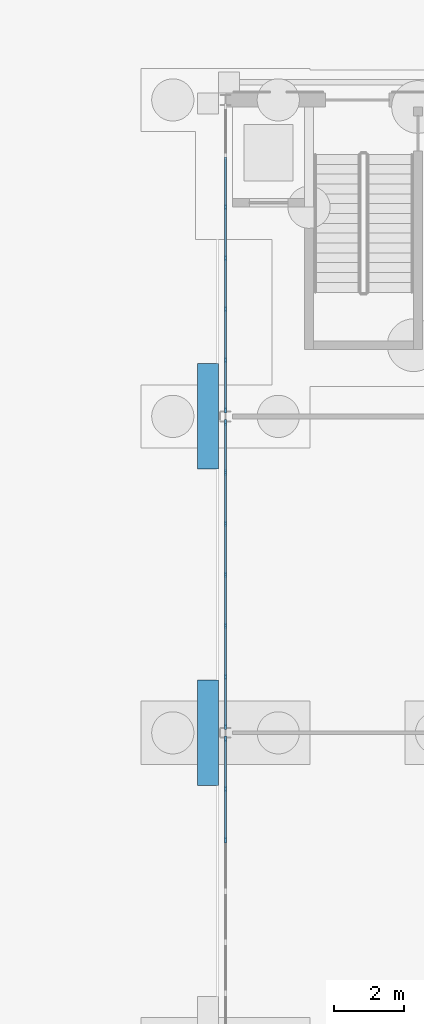
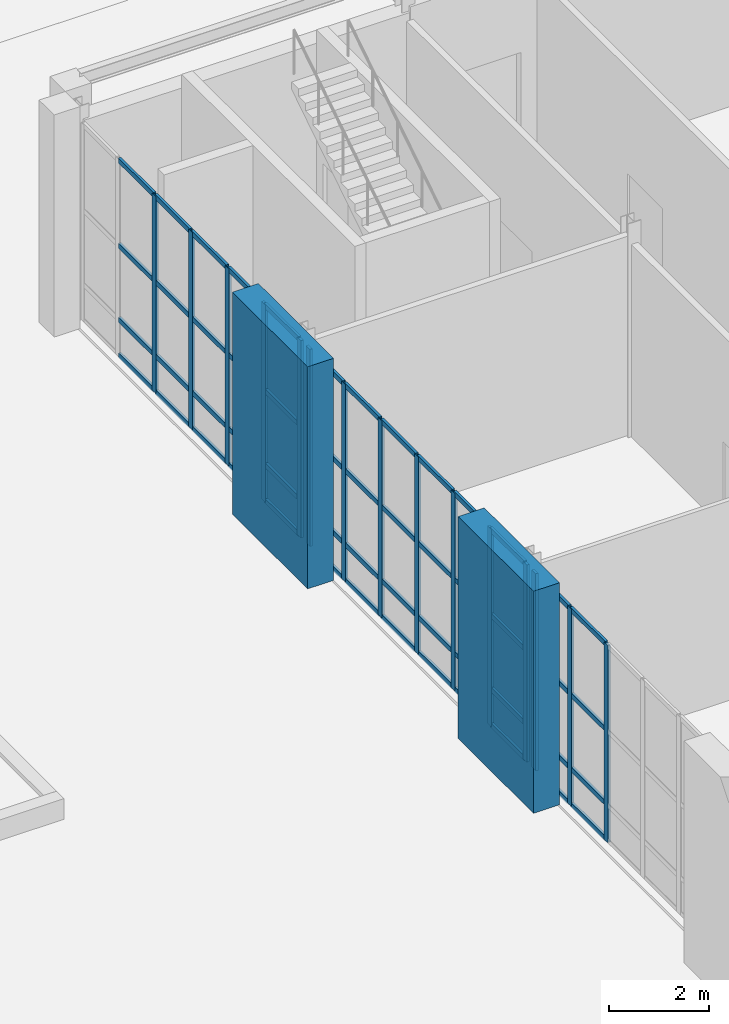
# One storey, part 52 of 168: 69 members, 3 elements without a shape of their own.
"""IFC4 building model written with IfcOpenShell, lengths in metres."""

from ifc_helpers import new_model, si_unit, direction, frame, origin, origin_2d, place, context, subcontext, project, spatial, rectangle, extrude, material, layer, layer_set, material_profile, profile_set, type_object, element, aggregate, save


model = new_model("IFC4")

# Units and contexts
model_context = context("Model", 3, precision=1e-05, world=origin(), true_north=direction((0.0, 1.0)))
body_context = subcontext(model_context, "Body", "Model", "MODEL_VIEW")
ifc_project = project(units=[si_unit("LENGTHUNIT", "METRE"), si_unit("AREAUNIT", "SQUARE_METRE"), si_unit("VOLUMEUNIT", "CUBIC_METRE"), si_unit("PLANEANGLEUNIT", "RADIAN"), si_unit("MASSUNIT", "GRAM", prefix="KILO")], contexts=[model_context])

# Site, building, storey
site_placement = place(None, origin())
site = spatial("IfcSite", under=ifc_project, at=site_placement, CompositionType="ELEMENT")
building_placement = place(site_placement, origin())
building = spatial("IfcBuilding", under=site, at=building_placement, Name="Golden Quay Civic Hall", CompositionType="ELEMENT")
storey_placement = place(building_placement, origin())
storey = spatial("IfcBuildingStorey", under=building, at=storey_placement, Name="L00", CompositionType="ELEMENT", Elevation=0.0)

# Curtain wall, members
ifc_material_1 = material(Name="Glass, laminated double glazed", Category="glass")
ifc_layer = layer(ifc_material_1, 0.199951171875)
ifc_layer_set = layer_set([ifc_layer], Name="Glazed core strip curtain wall")
curtain_wall_type = type_object("IfcCurtainWallType", Name="Glazed core strip curtain wall", PredefinedType="NOTDEFINED", material=ifc_layer_set)
curtain_wall_1_placement = place(storey_placement, origin())
curtain_wall_1 = element("IfcCurtainWall", 1, at=curtain_wall_1_placement, inside=storey, type_object=curtain_wall_type, Name="Glazed core strip curtain wall L00 5", PredefinedType="NOTDEFINED")
ifc_material_2 = material(Name="Aluminium, anodised", Category="aluminium")
ifc_material_profile_1 = material_profile(ifc_material_2, rectangle(XDim=0.06005859375, YDim=0.159912109375, at=origin_2d()), Name="Aluminium 60 x 160")
ifc_profile_set_1 = profile_set([ifc_material_profile_1], Name="Aluminium, anodised")
member_type_1 = type_object("IfcMemberType", Name="Aluminium mullion 60 x 160", PredefinedType="MULLION", material=ifc_profile_set_1)
member_1_placement = place(storey_placement, frame((54.0, 32.95166015625, 0.0), z_axis=(0.0, 0.0, 1.0), x_axis=(-1.0, 0.0, 0.0)))
member_1 = element("IfcMember", 2, at=member_1_placement, type_object=member_type_1, Name="CW2 mullion 5", PredefinedType="MULLION", context=body_context, shape_type="SweptSolid", body=[
    extrude(rectangle(XDim=0.06005859375, YDim=0.159912109375, at=origin_2d()), origin(), (0.0, 0.0, 1.0), 4.800048828125),
])
member_2_placement = place(storey_placement, frame((54.0, 34.4033203125, 0.0), z_axis=(0.0, 0.0, 1.0), x_axis=(-1.0, 0.0, 0.0)))
member_2 = element("IfcMember", 3, at=member_2_placement, type_object=member_type_1, Name="CW2 mullion 6", PredefinedType="MULLION", context=body_context, shape_type="SweptSolid", body=[
    extrude(rectangle(XDim=0.06005859375, YDim=0.159912109375, at=origin_2d()), origin(), (0.0, 0.0, 1.0), 4.800048828125),
])
member_3_placement = place(storey_placement, frame((54.0, 35.824951171875, 0.0), z_axis=(0.0, 0.0, 1.0), x_axis=(-1.0, 0.0, 0.0)))
member_3 = element("IfcMember", 4, at=member_3_placement, type_object=member_type_1, Name="CW2 mullion 7", PredefinedType="MULLION", context=body_context, shape_type="SweptSolid", body=[
    extrude(rectangle(XDim=0.06005859375, YDim=0.159912109375, at=origin_2d()), origin(), (0.0, 0.0, 1.0), 4.800048828125),
])

curtain_wall_2_placement = place(storey_placement, origin())
curtain_wall_2 = element("IfcCurtainWall", 5, at=curtain_wall_2_placement, inside=storey, type_object=curtain_wall_type, Name="Glazed core strip curtain wall L00 6", PredefinedType="NOTDEFINED")
member_4_placement = place(storey_placement, frame((54.0, 36.175048828125, 0.0), z_axis=(0.0, 0.0, 1.0), x_axis=(-1.0, 0.0, 0.0)))
member_4 = element("IfcMember", 6, at=member_4_placement, type_object=member_type_1, Name="CW2 mullion 1", PredefinedType="MULLION", context=body_context, shape_type="SweptSolid", body=[
    extrude(rectangle(XDim=0.06005859375, YDim=0.159912109375, at=origin_2d()), origin(), (0.0, 0.0, 1.0), 4.800048828125),
])
member_5_placement = place(storey_placement, frame((54.0, 37.5966796875, 0.0), z_axis=(0.0, 0.0, 1.0), x_axis=(-1.0, 0.0, 0.0)))
member_5 = element("IfcMember", 7, at=member_5_placement, type_object=member_type_1, Name="CW2 mullion 2", PredefinedType="MULLION", context=body_context, shape_type="SweptSolid", body=[
    extrude(rectangle(XDim=0.06005859375, YDim=0.159912109375, at=origin_2d()), origin(), (0.0, 0.0, 1.0), 4.800048828125),
])
member_6_placement = place(storey_placement, frame((54.0, 39.04833984375, 0.0), z_axis=(0.0, 0.0, 1.0), x_axis=(-1.0, 0.0, 0.0)))
member_6 = element("IfcMember", 8, at=member_6_placement, type_object=member_type_1, Name="CW2 mullion 3", PredefinedType="MULLION", context=body_context, shape_type="SweptSolid", body=[
    extrude(rectangle(XDim=0.06005859375, YDim=0.159912109375, at=origin_2d()), origin(), (0.0, 0.0, 1.0), 4.800048828125),
])
member_7_placement = place(storey_placement, frame((54.0, 40.5, 0.0), z_axis=(0.0, 0.0, 1.0), x_axis=(-1.0, 0.0, 0.0)))
member_7 = element("IfcMember", 9, at=member_7_placement, type_object=member_type_1, Name="CW2 mullion 4", PredefinedType="MULLION", context=body_context, shape_type="SweptSolid", body=[
    extrude(rectangle(XDim=0.06005859375, YDim=0.159912109375, at=origin_2d()), origin(), (0.0, 0.0, 1.0), 4.800048828125),
])
member_8_placement = place(storey_placement, frame((54.0, 41.95166015625, 0.0), z_axis=(0.0, 0.0, 1.0), x_axis=(-1.0, 0.0, 0.0)))
member_8 = element("IfcMember", 10, at=member_8_placement, type_object=member_type_1, Name="CW2 mullion 5", PredefinedType="MULLION", context=body_context, shape_type="SweptSolid", body=[
    extrude(rectangle(XDim=0.06005859375, YDim=0.159912109375, at=origin_2d()), origin(), (0.0, 0.0, 1.0), 4.800048828125),
])
member_9_placement = place(storey_placement, frame((54.0, 43.4033203125, 0.0), z_axis=(0.0, 0.0, 1.0), x_axis=(-1.0, 0.0, 0.0)))
member_9 = element("IfcMember", 11, at=member_9_placement, type_object=member_type_1, Name="CW2 mullion 6", PredefinedType="MULLION", context=body_context, shape_type="SweptSolid", body=[
    extrude(rectangle(XDim=0.06005859375, YDim=0.159912109375, at=origin_2d()), origin(), (0.0, 0.0, 1.0), 4.800048828125),
])
member_10_placement = place(storey_placement, frame((54.0, 44.824951171875, 0.0), z_axis=(0.0, 0.0, 1.0), x_axis=(-1.0, 0.0, 0.0)))
member_10 = element("IfcMember", 12, at=member_10_placement, type_object=member_type_1, Name="CW2 mullion 7", PredefinedType="MULLION", context=body_context, shape_type="SweptSolid", body=[
    extrude(rectangle(XDim=0.06005859375, YDim=0.159912109375, at=origin_2d()), origin(), (0.0, 0.0, 1.0), 4.800048828125),
])

curtain_wall_3_placement = place(storey_placement, origin())
curtain_wall_3 = element("IfcCurtainWall", 13, at=curtain_wall_3_placement, inside=storey, type_object=curtain_wall_type, Name="Glazed core strip curtain wall L00 7", PredefinedType="NOTDEFINED")
member_11_placement = place(storey_placement, frame((54.0, 45.175048828125, 0.0), z_axis=(0.0, 0.0, 1.0), x_axis=(-1.0, 0.0, 0.0)))
member_11 = element("IfcMember", 14, at=member_11_placement, type_object=member_type_1, Name="CW2 mullion 1", PredefinedType="MULLION", context=body_context, shape_type="SweptSolid", body=[
    extrude(rectangle(XDim=0.06005859375, YDim=0.159912109375, at=origin_2d()), origin(), (0.0, 0.0, 1.0), 4.800048828125),
])
member_12_placement = place(storey_placement, frame((54.0, 46.5966796875, 0.0), z_axis=(0.0, 0.0, 1.0), x_axis=(-1.0, 0.0, 0.0)))
member_12 = element("IfcMember", 15, at=member_12_placement, type_object=member_type_1, Name="CW2 mullion 2", PredefinedType="MULLION", context=body_context, shape_type="SweptSolid", body=[
    extrude(rectangle(XDim=0.06005859375, YDim=0.159912109375, at=origin_2d()), origin(), (0.0, 0.0, 1.0), 4.800048828125),
])
member_13_placement = place(storey_placement, frame((54.0, 48.04833984375, 0.0), z_axis=(0.0, 0.0, 1.0), x_axis=(-1.0, 0.0, 0.0)))
member_13 = element("IfcMember", 16, at=member_13_placement, type_object=member_type_1, Name="CW2 mullion 3", PredefinedType="MULLION", context=body_context, shape_type="SweptSolid", body=[
    extrude(rectangle(XDim=0.06005859375, YDim=0.159912109375, at=origin_2d()), origin(), (0.0, 0.0, 1.0), 4.800048828125),
])
member_14_placement = place(storey_placement, frame((54.0, 49.5, 0.0), z_axis=(0.0, 0.0, 1.0), x_axis=(-1.0, 0.0, 0.0)))
member_14 = element("IfcMember", 17, at=member_14_placement, type_object=member_type_1, Name="CW2 mullion 4", PredefinedType="MULLION", context=body_context, shape_type="SweptSolid", body=[
    extrude(rectangle(XDim=0.06005859375, YDim=0.159912109375, at=origin_2d()), origin(), (0.0, 0.0, 1.0), 4.800048828125),
])
member_15_placement = place(storey_placement, frame((54.0, 50.95166015625, 0.0), z_axis=(0.0, 0.0, 1.0), x_axis=(-1.0, 0.0, 0.0)))
member_15 = element("IfcMember", 18, at=member_15_placement, type_object=member_type_1, Name="CW2 mullion 5", PredefinedType="MULLION", context=body_context, shape_type="SweptSolid", body=[
    extrude(rectangle(XDim=0.06005859375, YDim=0.159912109375, at=origin_2d()), origin(), (0.0, 0.0, 1.0), 4.800048828125),
])

# Member
ifc_material_3 = material(Name="Aluminium, anodised", Category="aluminium")
ifc_material_profile_2 = material_profile(ifc_material_3, rectangle(XDim=0.06005859375, YDim=0.1201171875, at=origin_2d()), Name="Aluminium 60 x 120")
ifc_profile_set_2 = profile_set([ifc_material_profile_2], Name="Aluminium, anodised")
member_type_2 = type_object("IfcMemberType", Name="Aluminium transom 60 x 120", PredefinedType="USERDEFINED", material=ifc_profile_set_2)
member_16_placement = place(storey_placement, frame((54.0, 32.981689453125, 0.030029296875), z_axis=(0.0, 1.0, 0.0), x_axis=(-1.0, 0.0, 0.0)))
member_16 = element("IfcMember", 19, at=member_16_placement, type_object=member_type_2, Name="CW2 transom 5.1", ObjectType="TRANSOM", PredefinedType="USERDEFINED", context=body_context, shape_type="SweptSolid", body=[
    extrude(rectangle(XDim=0.06005859375, YDim=0.1201171875, at=origin_2d()), origin(), (0.0, 0.0, 1.0), 1.3916015625),
])

member_17_placement = place(storey_placement, frame((54.0, 32.981689453125, 0.89990234375), z_axis=(0.0, 1.0, 0.0), x_axis=(-1.0, 0.0, 0.0)))
member_17 = element("IfcMember", 20, at=member_17_placement, type_object=member_type_2, Name="CW2 transom 5.2", ObjectType="TRANSOM", PredefinedType="USERDEFINED", context=body_context, shape_type="SweptSolid", body=[
    extrude(rectangle(XDim=0.06005859375, YDim=0.1201171875, at=origin_2d()), origin(), (0.0, 0.0, 1.0), 1.3916015625),
])

member_18_placement = place(storey_placement, frame((54.0, 32.981689453125, 2.699951171875), z_axis=(0.0, 1.0, 0.0), x_axis=(-1.0, 0.0, 0.0)))
member_18 = element("IfcMember", 21, at=member_18_placement, type_object=member_type_2, Name="CW2 transom 5.3", ObjectType="TRANSOM", PredefinedType="USERDEFINED", context=body_context, shape_type="SweptSolid", body=[
    extrude(rectangle(XDim=0.06005859375, YDim=0.1201171875, at=origin_2d()), origin(), (0.0, 0.0, 1.0), 1.3916015625),
])

member_19_placement = place(storey_placement, frame((54.0, 32.981689453125, 4.77001953125), z_axis=(0.0, 1.0, 0.0), x_axis=(-1.0, 0.0, 0.0)))
member_19 = element("IfcMember", 22, at=member_19_placement, type_object=member_type_2, Name="CW2 transom 5.4", ObjectType="TRANSOM", PredefinedType="USERDEFINED", context=body_context, shape_type="SweptSolid", body=[
    extrude(rectangle(XDim=0.06005859375, YDim=0.1201171875, at=origin_2d()), origin(), (0.0, 0.0, 1.0), 1.3916015625),
])

member_20_placement = place(storey_placement, frame((54.0, 34.433349609375, 0.030029296875), z_axis=(0.0, 1.0, 0.0), x_axis=(-1.0, 0.0, 0.0)))
member_20 = element("IfcMember", 23, at=member_20_placement, type_object=member_type_2, Name="CW2 transom 6.1", ObjectType="TRANSOM", PredefinedType="USERDEFINED", context=body_context, shape_type="SweptSolid", body=[
    extrude(rectangle(XDim=0.06005859375, YDim=0.1201171875, at=origin_2d()), origin(), (0.0, 0.0, 1.0), 1.361572265625),
])

member_21_placement = place(storey_placement, frame((54.0, 34.433349609375, 0.89990234375), z_axis=(0.0, 1.0, 0.0), x_axis=(-1.0, 0.0, 0.0)))
member_21 = element("IfcMember", 24, at=member_21_placement, type_object=member_type_2, Name="CW2 transom 6.2", ObjectType="TRANSOM", PredefinedType="USERDEFINED", context=body_context, shape_type="SweptSolid", body=[
    extrude(rectangle(XDim=0.06005859375, YDim=0.1201171875, at=origin_2d()), origin(), (0.0, 0.0, 1.0), 1.361572265625),
])

member_22_placement = place(storey_placement, frame((54.0, 34.433349609375, 2.699951171875), z_axis=(0.0, 1.0, 0.0), x_axis=(-1.0, 0.0, 0.0)))
member_22 = element("IfcMember", 25, at=member_22_placement, type_object=member_type_2, Name="CW2 transom 6.3", ObjectType="TRANSOM", PredefinedType="USERDEFINED", context=body_context, shape_type="SweptSolid", body=[
    extrude(rectangle(XDim=0.06005859375, YDim=0.1201171875, at=origin_2d()), origin(), (0.0, 0.0, 1.0), 1.361572265625),
])

member_23_placement = place(storey_placement, frame((54.0, 34.433349609375, 4.77001953125), z_axis=(0.0, 1.0, 0.0), x_axis=(-1.0, 0.0, 0.0)))
member_23 = element("IfcMember", 26, at=member_23_placement, type_object=member_type_2, Name="CW2 transom 6.4", ObjectType="TRANSOM", PredefinedType="USERDEFINED", context=body_context, shape_type="SweptSolid", body=[
    extrude(rectangle(XDim=0.06005859375, YDim=0.1201171875, at=origin_2d()), origin(), (0.0, 0.0, 1.0), 1.361572265625),
])

aggregate(curtain_wall_1, [member_1, member_2, member_3, member_16, member_17, member_18, member_19, member_20, member_21, member_22, member_23])

member_24_placement = place(storey_placement, frame((54.0, 36.205078125, 0.030029296875), z_axis=(0.0, 1.0, 0.0), x_axis=(-1.0, 0.0, 0.0)))
member_24 = element("IfcMember", 27, at=member_24_placement, type_object=member_type_2, Name="CW2 transom 1.1", ObjectType="TRANSOM", PredefinedType="USERDEFINED", context=body_context, shape_type="SweptSolid", body=[
    extrude(rectangle(XDim=0.06005859375, YDim=0.1201171875, at=origin_2d()), origin(), (0.0, 0.0, 1.0), 1.361572265625),
])

member_25_placement = place(storey_placement, frame((54.0, 36.205078125, 0.89990234375), z_axis=(0.0, 1.0, 0.0), x_axis=(-1.0, 0.0, 0.0)))
member_25 = element("IfcMember", 28, at=member_25_placement, type_object=member_type_2, Name="CW2 transom 1.2", ObjectType="TRANSOM", PredefinedType="USERDEFINED", context=body_context, shape_type="SweptSolid", body=[
    extrude(rectangle(XDim=0.06005859375, YDim=0.1201171875, at=origin_2d()), origin(), (0.0, 0.0, 1.0), 1.361572265625),
])

member_26_placement = place(storey_placement, frame((54.0, 36.205078125, 2.699951171875), z_axis=(0.0, 1.0, 0.0), x_axis=(-1.0, 0.0, 0.0)))
member_26 = element("IfcMember", 29, at=member_26_placement, type_object=member_type_2, Name="CW2 transom 1.3", ObjectType="TRANSOM", PredefinedType="USERDEFINED", context=body_context, shape_type="SweptSolid", body=[
    extrude(rectangle(XDim=0.06005859375, YDim=0.1201171875, at=origin_2d()), origin(), (0.0, 0.0, 1.0), 1.361572265625),
])

member_27_placement = place(storey_placement, frame((54.0, 36.205078125, 4.77001953125), z_axis=(0.0, 1.0, 0.0), x_axis=(-1.0, 0.0, 0.0)))
member_27 = element("IfcMember", 30, at=member_27_placement, type_object=member_type_2, Name="CW2 transom 1.4", ObjectType="TRANSOM", PredefinedType="USERDEFINED", context=body_context, shape_type="SweptSolid", body=[
    extrude(rectangle(XDim=0.06005859375, YDim=0.1201171875, at=origin_2d()), origin(), (0.0, 0.0, 1.0), 1.361572265625),
])

member_28_placement = place(storey_placement, frame((54.0, 37.626708984375, 0.030029296875), z_axis=(0.0, 1.0, 0.0), x_axis=(-1.0, 0.0, 0.0)))
member_28 = element("IfcMember", 31, at=member_28_placement, type_object=member_type_2, Name="CW2 transom 2.1", ObjectType="TRANSOM", PredefinedType="USERDEFINED", context=body_context, shape_type="SweptSolid", body=[
    extrude(rectangle(XDim=0.06005859375, YDim=0.1201171875, at=origin_2d()), origin(), (0.0, 0.0, 1.0), 1.3916015625),
])

member_29_placement = place(storey_placement, frame((54.0, 37.626708984375, 0.89990234375), z_axis=(0.0, 1.0, 0.0), x_axis=(-1.0, 0.0, 0.0)))
member_29 = element("IfcMember", 32, at=member_29_placement, type_object=member_type_2, Name="CW2 transom 2.2", ObjectType="TRANSOM", PredefinedType="USERDEFINED", context=body_context, shape_type="SweptSolid", body=[
    extrude(rectangle(XDim=0.06005859375, YDim=0.1201171875, at=origin_2d()), origin(), (0.0, 0.0, 1.0), 1.3916015625),
])

member_30_placement = place(storey_placement, frame((54.0, 37.626708984375, 2.699951171875), z_axis=(0.0, 1.0, 0.0), x_axis=(-1.0, 0.0, 0.0)))
member_30 = element("IfcMember", 33, at=member_30_placement, type_object=member_type_2, Name="CW2 transom 2.3", ObjectType="TRANSOM", PredefinedType="USERDEFINED", context=body_context, shape_type="SweptSolid", body=[
    extrude(rectangle(XDim=0.06005859375, YDim=0.1201171875, at=origin_2d()), origin(), (0.0, 0.0, 1.0), 1.3916015625),
])

member_31_placement = place(storey_placement, frame((54.0, 37.626708984375, 4.77001953125), z_axis=(0.0, 1.0, 0.0), x_axis=(-1.0, 0.0, 0.0)))
member_31 = element("IfcMember", 34, at=member_31_placement, type_object=member_type_2, Name="CW2 transom 2.4", ObjectType="TRANSOM", PredefinedType="USERDEFINED", context=body_context, shape_type="SweptSolid", body=[
    extrude(rectangle(XDim=0.06005859375, YDim=0.1201171875, at=origin_2d()), origin(), (0.0, 0.0, 1.0), 1.3916015625),
])

member_32_placement = place(storey_placement, frame((54.0, 39.078369140625, 0.030029296875), z_axis=(0.0, 1.0, 0.0), x_axis=(-1.0, 0.0, 0.0)))
member_32 = element("IfcMember", 35, at=member_32_placement, type_object=member_type_2, Name="CW2 transom 3.1", ObjectType="TRANSOM", PredefinedType="USERDEFINED", context=body_context, shape_type="SweptSolid", body=[
    extrude(rectangle(XDim=0.06005859375, YDim=0.1201171875, at=origin_2d()), origin(), (0.0, 0.0, 1.0), 1.3916015625),
])

member_33_placement = place(storey_placement, frame((54.0, 39.078369140625, 0.89990234375), z_axis=(0.0, 1.0, 0.0), x_axis=(-1.0, 0.0, 0.0)))
member_33 = element("IfcMember", 36, at=member_33_placement, type_object=member_type_2, Name="CW2 transom 3.2", ObjectType="TRANSOM", PredefinedType="USERDEFINED", context=body_context, shape_type="SweptSolid", body=[
    extrude(rectangle(XDim=0.06005859375, YDim=0.1201171875, at=origin_2d()), origin(), (0.0, 0.0, 1.0), 1.3916015625),
])

member_34_placement = place(storey_placement, frame((54.0, 39.078369140625, 2.699951171875), z_axis=(0.0, 1.0, 0.0), x_axis=(-1.0, 0.0, 0.0)))
member_34 = element("IfcMember", 37, at=member_34_placement, type_object=member_type_2, Name="CW2 transom 3.3", ObjectType="TRANSOM", PredefinedType="USERDEFINED", context=body_context, shape_type="SweptSolid", body=[
    extrude(rectangle(XDim=0.06005859375, YDim=0.1201171875, at=origin_2d()), origin(), (0.0, 0.0, 1.0), 1.3916015625),
])

member_35_placement = place(storey_placement, frame((54.0, 39.078369140625, 4.77001953125), z_axis=(0.0, 1.0, 0.0), x_axis=(-1.0, 0.0, 0.0)))
member_35 = element("IfcMember", 38, at=member_35_placement, type_object=member_type_2, Name="CW2 transom 3.4", ObjectType="TRANSOM", PredefinedType="USERDEFINED", context=body_context, shape_type="SweptSolid", body=[
    extrude(rectangle(XDim=0.06005859375, YDim=0.1201171875, at=origin_2d()), origin(), (0.0, 0.0, 1.0), 1.3916015625),
])

member_36_placement = place(storey_placement, frame((54.0, 40.530029296875, 0.030029296875), z_axis=(0.0, 1.0, 0.0), x_axis=(-1.0, 0.0, 0.0)))
member_36 = element("IfcMember", 39, at=member_36_placement, type_object=member_type_2, Name="CW2 transom 4.1", ObjectType="TRANSOM", PredefinedType="USERDEFINED", context=body_context, shape_type="SweptSolid", body=[
    extrude(rectangle(XDim=0.06005859375, YDim=0.1201171875, at=origin_2d()), origin(), (0.0, 0.0, 1.0), 1.3916015625),
])

member_37_placement = place(storey_placement, frame((54.0, 40.530029296875, 0.89990234375), z_axis=(0.0, 1.0, 0.0), x_axis=(-1.0, 0.0, 0.0)))
member_37 = element("IfcMember", 40, at=member_37_placement, type_object=member_type_2, Name="CW2 transom 4.2", ObjectType="TRANSOM", PredefinedType="USERDEFINED", context=body_context, shape_type="SweptSolid", body=[
    extrude(rectangle(XDim=0.06005859375, YDim=0.1201171875, at=origin_2d()), origin(), (0.0, 0.0, 1.0), 1.3916015625),
])

member_38_placement = place(storey_placement, frame((54.0, 40.530029296875, 2.699951171875), z_axis=(0.0, 1.0, 0.0), x_axis=(-1.0, 0.0, 0.0)))
member_38 = element("IfcMember", 41, at=member_38_placement, type_object=member_type_2, Name="CW2 transom 4.3", ObjectType="TRANSOM", PredefinedType="USERDEFINED", context=body_context, shape_type="SweptSolid", body=[
    extrude(rectangle(XDim=0.06005859375, YDim=0.1201171875, at=origin_2d()), origin(), (0.0, 0.0, 1.0), 1.3916015625),
])

member_39_placement = place(storey_placement, frame((54.0, 40.530029296875, 4.77001953125), z_axis=(0.0, 1.0, 0.0), x_axis=(-1.0, 0.0, 0.0)))
member_39 = element("IfcMember", 42, at=member_39_placement, type_object=member_type_2, Name="CW2 transom 4.4", ObjectType="TRANSOM", PredefinedType="USERDEFINED", context=body_context, shape_type="SweptSolid", body=[
    extrude(rectangle(XDim=0.06005859375, YDim=0.1201171875, at=origin_2d()), origin(), (0.0, 0.0, 1.0), 1.3916015625),
])

member_40_placement = place(storey_placement, frame((54.0, 41.981689453125, 0.030029296875), z_axis=(0.0, 1.0, 0.0), x_axis=(-1.0, 0.0, 0.0)))
member_40 = element("IfcMember", 43, at=member_40_placement, type_object=member_type_2, Name="CW2 transom 5.1", ObjectType="TRANSOM", PredefinedType="USERDEFINED", context=body_context, shape_type="SweptSolid", body=[
    extrude(rectangle(XDim=0.06005859375, YDim=0.1201171875, at=origin_2d()), origin(), (0.0, 0.0, 1.0), 1.3916015625),
])

member_41_placement = place(storey_placement, frame((54.0, 41.981689453125, 0.89990234375), z_axis=(0.0, 1.0, 0.0), x_axis=(-1.0, 0.0, 0.0)))
member_41 = element("IfcMember", 44, at=member_41_placement, type_object=member_type_2, Name="CW2 transom 5.2", ObjectType="TRANSOM", PredefinedType="USERDEFINED", context=body_context, shape_type="SweptSolid", body=[
    extrude(rectangle(XDim=0.06005859375, YDim=0.1201171875, at=origin_2d()), origin(), (0.0, 0.0, 1.0), 1.3916015625),
])

member_42_placement = place(storey_placement, frame((54.0, 41.981689453125, 2.699951171875), z_axis=(0.0, 1.0, 0.0), x_axis=(-1.0, 0.0, 0.0)))
member_42 = element("IfcMember", 45, at=member_42_placement, type_object=member_type_2, Name="CW2 transom 5.3", ObjectType="TRANSOM", PredefinedType="USERDEFINED", context=body_context, shape_type="SweptSolid", body=[
    extrude(rectangle(XDim=0.06005859375, YDim=0.1201171875, at=origin_2d()), origin(), (0.0, 0.0, 1.0), 1.3916015625),
])

member_43_placement = place(storey_placement, frame((54.0, 41.981689453125, 4.77001953125), z_axis=(0.0, 1.0, 0.0), x_axis=(-1.0, 0.0, 0.0)))
member_43 = element("IfcMember", 46, at=member_43_placement, type_object=member_type_2, Name="CW2 transom 5.4", ObjectType="TRANSOM", PredefinedType="USERDEFINED", context=body_context, shape_type="SweptSolid", body=[
    extrude(rectangle(XDim=0.06005859375, YDim=0.1201171875, at=origin_2d()), origin(), (0.0, 0.0, 1.0), 1.3916015625),
])

member_44_placement = place(storey_placement, frame((54.0, 43.433349609375, 0.030029296875), z_axis=(0.0, 1.0, 0.0), x_axis=(-1.0, 0.0, 0.0)))
member_44 = element("IfcMember", 47, at=member_44_placement, type_object=member_type_2, Name="CW2 transom 6.1", ObjectType="TRANSOM", PredefinedType="USERDEFINED", context=body_context, shape_type="SweptSolid", body=[
    extrude(rectangle(XDim=0.06005859375, YDim=0.1201171875, at=origin_2d()), origin(), (0.0, 0.0, 1.0), 1.361572265625),
])

member_45_placement = place(storey_placement, frame((54.0, 43.433349609375, 0.89990234375), z_axis=(0.0, 1.0, 0.0), x_axis=(-1.0, 0.0, 0.0)))
member_45 = element("IfcMember", 48, at=member_45_placement, type_object=member_type_2, Name="CW2 transom 6.2", ObjectType="TRANSOM", PredefinedType="USERDEFINED", context=body_context, shape_type="SweptSolid", body=[
    extrude(rectangle(XDim=0.06005859375, YDim=0.1201171875, at=origin_2d()), origin(), (0.0, 0.0, 1.0), 1.361572265625),
])

member_46_placement = place(storey_placement, frame((54.0, 43.433349609375, 2.699951171875), z_axis=(0.0, 1.0, 0.0), x_axis=(-1.0, 0.0, 0.0)))
member_46 = element("IfcMember", 49, at=member_46_placement, type_object=member_type_2, Name="CW2 transom 6.3", ObjectType="TRANSOM", PredefinedType="USERDEFINED", context=body_context, shape_type="SweptSolid", body=[
    extrude(rectangle(XDim=0.06005859375, YDim=0.1201171875, at=origin_2d()), origin(), (0.0, 0.0, 1.0), 1.361572265625),
])

member_47_placement = place(storey_placement, frame((54.0, 43.433349609375, 4.77001953125), z_axis=(0.0, 1.0, 0.0), x_axis=(-1.0, 0.0, 0.0)))
member_47 = element("IfcMember", 50, at=member_47_placement, type_object=member_type_2, Name="CW2 transom 6.4", ObjectType="TRANSOM", PredefinedType="USERDEFINED", context=body_context, shape_type="SweptSolid", body=[
    extrude(rectangle(XDim=0.06005859375, YDim=0.1201171875, at=origin_2d()), origin(), (0.0, 0.0, 1.0), 1.361572265625),
])

aggregate(curtain_wall_2, [member_4, member_5, member_6, member_7, member_8, member_9, member_10, member_24, member_25, member_26, member_27, member_28, member_29, member_30, member_31, member_32, member_33, member_34, member_35, member_36, member_37, member_38, member_39, member_40, member_41, member_42, member_43, member_44, member_45, member_46, member_47])

member_48_placement = place(storey_placement, frame((54.0, 45.205078125, 0.030029296875), z_axis=(0.0, 1.0, 0.0), x_axis=(-1.0, 0.0, 0.0)))
member_48 = element("IfcMember", 51, at=member_48_placement, type_object=member_type_2, Name="CW2 transom 1.1", ObjectType="TRANSOM", PredefinedType="USERDEFINED", context=body_context, shape_type="SweptSolid", body=[
    extrude(rectangle(XDim=0.06005859375, YDim=0.1201171875, at=origin_2d()), origin(), (0.0, 0.0, 1.0), 1.361572265625),
])

member_49_placement = place(storey_placement, frame((54.0, 45.205078125, 0.89990234375), z_axis=(0.0, 1.0, 0.0), x_axis=(-1.0, 0.0, 0.0)))
member_49 = element("IfcMember", 52, at=member_49_placement, type_object=member_type_2, Name="CW2 transom 1.2", ObjectType="TRANSOM", PredefinedType="USERDEFINED", context=body_context, shape_type="SweptSolid", body=[
    extrude(rectangle(XDim=0.06005859375, YDim=0.1201171875, at=origin_2d()), origin(), (0.0, 0.0, 1.0), 1.361572265625),
])

member_50_placement = place(storey_placement, frame((54.0, 45.205078125, 2.699951171875), z_axis=(0.0, 1.0, 0.0), x_axis=(-1.0, 0.0, 0.0)))
member_50 = element("IfcMember", 53, at=member_50_placement, type_object=member_type_2, Name="CW2 transom 1.3", ObjectType="TRANSOM", PredefinedType="USERDEFINED", context=body_context, shape_type="SweptSolid", body=[
    extrude(rectangle(XDim=0.06005859375, YDim=0.1201171875, at=origin_2d()), origin(), (0.0, 0.0, 1.0), 1.361572265625),
])

member_51_placement = place(storey_placement, frame((54.0, 45.205078125, 4.77001953125), z_axis=(0.0, 1.0, 0.0), x_axis=(-1.0, 0.0, 0.0)))
member_51 = element("IfcMember", 54, at=member_51_placement, type_object=member_type_2, Name="CW2 transom 1.4", ObjectType="TRANSOM", PredefinedType="USERDEFINED", context=body_context, shape_type="SweptSolid", body=[
    extrude(rectangle(XDim=0.06005859375, YDim=0.1201171875, at=origin_2d()), origin(), (0.0, 0.0, 1.0), 1.361572265625),
])

member_52_placement = place(storey_placement, frame((54.0, 46.626708984375, 0.030029296875), z_axis=(0.0, 1.0, 0.0), x_axis=(-1.0, 0.0, 0.0)))
member_52 = element("IfcMember", 55, at=member_52_placement, type_object=member_type_2, Name="CW2 transom 2.1", ObjectType="TRANSOM", PredefinedType="USERDEFINED", context=body_context, shape_type="SweptSolid", body=[
    extrude(rectangle(XDim=0.06005859375, YDim=0.1201171875, at=origin_2d()), origin(), (0.0, 0.0, 1.0), 1.3916015625),
])

member_53_placement = place(storey_placement, frame((54.0, 46.626708984375, 0.89990234375), z_axis=(0.0, 1.0, 0.0), x_axis=(-1.0, 0.0, 0.0)))
member_53 = element("IfcMember", 56, at=member_53_placement, type_object=member_type_2, Name="CW2 transom 2.2", ObjectType="TRANSOM", PredefinedType="USERDEFINED", context=body_context, shape_type="SweptSolid", body=[
    extrude(rectangle(XDim=0.06005859375, YDim=0.1201171875, at=origin_2d()), origin(), (0.0, 0.0, 1.0), 1.3916015625),
])

member_54_placement = place(storey_placement, frame((54.0, 46.626708984375, 2.699951171875), z_axis=(0.0, 1.0, 0.0), x_axis=(-1.0, 0.0, 0.0)))
member_54 = element("IfcMember", 57, at=member_54_placement, type_object=member_type_2, Name="CW2 transom 2.3", ObjectType="TRANSOM", PredefinedType="USERDEFINED", context=body_context, shape_type="SweptSolid", body=[
    extrude(rectangle(XDim=0.06005859375, YDim=0.1201171875, at=origin_2d()), origin(), (0.0, 0.0, 1.0), 1.3916015625),
])

member_55_placement = place(storey_placement, frame((54.0, 46.626708984375, 4.77001953125), z_axis=(0.0, 1.0, 0.0), x_axis=(-1.0, 0.0, 0.0)))
member_55 = element("IfcMember", 58, at=member_55_placement, type_object=member_type_2, Name="CW2 transom 2.4", ObjectType="TRANSOM", PredefinedType="USERDEFINED", context=body_context, shape_type="SweptSolid", body=[
    extrude(rectangle(XDim=0.06005859375, YDim=0.1201171875, at=origin_2d()), origin(), (0.0, 0.0, 1.0), 1.3916015625),
])

member_56_placement = place(storey_placement, frame((54.0, 48.078369140625, 0.030029296875), z_axis=(0.0, 1.0, 0.0), x_axis=(-1.0, 0.0, 0.0)))
member_56 = element("IfcMember", 59, at=member_56_placement, type_object=member_type_2, Name="CW2 transom 3.1", ObjectType="TRANSOM", PredefinedType="USERDEFINED", context=body_context, shape_type="SweptSolid", body=[
    extrude(rectangle(XDim=0.06005859375, YDim=0.1201171875, at=origin_2d()), origin(), (0.0, 0.0, 1.0), 1.3916015625),
])

member_57_placement = place(storey_placement, frame((54.0, 48.078369140625, 0.89990234375), z_axis=(0.0, 1.0, 0.0), x_axis=(-1.0, 0.0, 0.0)))
member_57 = element("IfcMember", 60, at=member_57_placement, type_object=member_type_2, Name="CW2 transom 3.2", ObjectType="TRANSOM", PredefinedType="USERDEFINED", context=body_context, shape_type="SweptSolid", body=[
    extrude(rectangle(XDim=0.06005859375, YDim=0.1201171875, at=origin_2d()), origin(), (0.0, 0.0, 1.0), 1.3916015625),
])

member_58_placement = place(storey_placement, frame((54.0, 48.078369140625, 2.699951171875), z_axis=(0.0, 1.0, 0.0), x_axis=(-1.0, 0.0, 0.0)))
member_58 = element("IfcMember", 61, at=member_58_placement, type_object=member_type_2, Name="CW2 transom 3.3", ObjectType="TRANSOM", PredefinedType="USERDEFINED", context=body_context, shape_type="SweptSolid", body=[
    extrude(rectangle(XDim=0.06005859375, YDim=0.1201171875, at=origin_2d()), origin(), (0.0, 0.0, 1.0), 1.3916015625),
])

member_59_placement = place(storey_placement, frame((54.0, 48.078369140625, 4.77001953125), z_axis=(0.0, 1.0, 0.0), x_axis=(-1.0, 0.0, 0.0)))
member_59 = element("IfcMember", 62, at=member_59_placement, type_object=member_type_2, Name="CW2 transom 3.4", ObjectType="TRANSOM", PredefinedType="USERDEFINED", context=body_context, shape_type="SweptSolid", body=[
    extrude(rectangle(XDim=0.06005859375, YDim=0.1201171875, at=origin_2d()), origin(), (0.0, 0.0, 1.0), 1.3916015625),
])

member_60_placement = place(storey_placement, frame((54.0, 49.530029296875, 0.030029296875), z_axis=(0.0, 1.0, 0.0), x_axis=(-1.0, 0.0, 0.0)))
member_60 = element("IfcMember", 63, at=member_60_placement, type_object=member_type_2, Name="CW2 transom 4.1", ObjectType="TRANSOM", PredefinedType="USERDEFINED", context=body_context, shape_type="SweptSolid", body=[
    extrude(rectangle(XDim=0.06005859375, YDim=0.1201171875, at=origin_2d()), origin(), (0.0, 0.0, 1.0), 1.3916015625),
])

member_61_placement = place(storey_placement, frame((54.0, 49.530029296875, 0.89990234375), z_axis=(0.0, 1.0, 0.0), x_axis=(-1.0, 0.0, 0.0)))
member_61 = element("IfcMember", 64, at=member_61_placement, type_object=member_type_2, Name="CW2 transom 4.2", ObjectType="TRANSOM", PredefinedType="USERDEFINED", context=body_context, shape_type="SweptSolid", body=[
    extrude(rectangle(XDim=0.06005859375, YDim=0.1201171875, at=origin_2d()), origin(), (0.0, 0.0, 1.0), 1.3916015625),
])

member_62_placement = place(storey_placement, frame((54.0, 49.530029296875, 2.699951171875), z_axis=(0.0, 1.0, 0.0), x_axis=(-1.0, 0.0, 0.0)))
member_62 = element("IfcMember", 65, at=member_62_placement, type_object=member_type_2, Name="CW2 transom 4.3", ObjectType="TRANSOM", PredefinedType="USERDEFINED", context=body_context, shape_type="SweptSolid", body=[
    extrude(rectangle(XDim=0.06005859375, YDim=0.1201171875, at=origin_2d()), origin(), (0.0, 0.0, 1.0), 1.3916015625),
])

member_63_placement = place(storey_placement, frame((54.0, 49.530029296875, 4.77001953125), z_axis=(0.0, 1.0, 0.0), x_axis=(-1.0, 0.0, 0.0)))
member_63 = element("IfcMember", 66, at=member_63_placement, type_object=member_type_2, Name="CW2 transom 4.4", ObjectType="TRANSOM", PredefinedType="USERDEFINED", context=body_context, shape_type="SweptSolid", body=[
    extrude(rectangle(XDim=0.06005859375, YDim=0.1201171875, at=origin_2d()), origin(), (0.0, 0.0, 1.0), 1.3916015625),
])

member_64_placement = place(storey_placement, frame((54.0, 50.981689453125, 0.030029296875), z_axis=(0.0, 1.0, 0.0), x_axis=(-1.0, 0.0, 0.0)))
member_64 = element("IfcMember", 67, at=member_64_placement, type_object=member_type_2, Name="CW2 transom 5.1", ObjectType="TRANSOM", PredefinedType="USERDEFINED", context=body_context, shape_type="SweptSolid", body=[
    extrude(rectangle(XDim=0.06005859375, YDim=0.1201171875, at=origin_2d()), origin(), (0.0, 0.0, 1.0), 1.3916015625),
])

member_65_placement = place(storey_placement, frame((54.0, 50.981689453125, 0.89990234375), z_axis=(0.0, 1.0, 0.0), x_axis=(-1.0, 0.0, 0.0)))
member_65 = element("IfcMember", 68, at=member_65_placement, type_object=member_type_2, Name="CW2 transom 5.2", ObjectType="TRANSOM", PredefinedType="USERDEFINED", context=body_context, shape_type="SweptSolid", body=[
    extrude(rectangle(XDim=0.06005859375, YDim=0.1201171875, at=origin_2d()), origin(), (0.0, 0.0, 1.0), 1.3916015625),
])

member_66_placement = place(storey_placement, frame((54.0, 50.981689453125, 2.699951171875), z_axis=(0.0, 1.0, 0.0), x_axis=(-1.0, 0.0, 0.0)))
member_66 = element("IfcMember", 69, at=member_66_placement, type_object=member_type_2, Name="CW2 transom 5.3", ObjectType="TRANSOM", PredefinedType="USERDEFINED", context=body_context, shape_type="SweptSolid", body=[
    extrude(rectangle(XDim=0.06005859375, YDim=0.1201171875, at=origin_2d()), origin(), (0.0, 0.0, 1.0), 1.3916015625),
])

member_67_placement = place(storey_placement, frame((54.0, 50.981689453125, 4.77001953125), z_axis=(0.0, 1.0, 0.0), x_axis=(-1.0, 0.0, 0.0)))
member_67 = element("IfcMember", 70, at=member_67_placement, type_object=member_type_2, Name="CW2 transom 5.4", ObjectType="TRANSOM", PredefinedType="USERDEFINED", context=body_context, shape_type="SweptSolid", body=[
    extrude(rectangle(XDim=0.06005859375, YDim=0.1201171875, at=origin_2d()), origin(), (0.0, 0.0, 1.0), 1.3916015625),
])

aggregate(curtain_wall_3, [member_11, member_12, member_13, member_14, member_15, member_48, member_49, member_50, member_51, member_52, member_53, member_54, member_55, member_56, member_57, member_58, member_59, member_60, member_61, member_62, member_63, member_64, member_65, member_66, member_67])

# Members
ifc_material_4 = material(Name="Concrete C40/50", Category="concrete")
ifc_material_profile_3 = material_profile(ifc_material_4, rectangle(XDim=3.0, YDim=0.60009765625, at=origin_2d()), Name="RC 3000x600")
ifc_profile_set_3 = profile_set([ifc_material_profile_3], Name="Concrete C40/50")
member_type_3 = type_object("IfcMemberType", Name="Precast concrete facade pier 3000 x 600", PredefinedType="POST", material=ifc_profile_set_3)
for number, where, z_axis, x_axis, name in (
    (71, (53.5, 36.0, 0.0), (0.0, 0.0, 1.0), (0.0, 1.0, 0.0), "Precast concrete facade pier 3000 x 600 L00 19"),
    (72, (53.5, 45.0, 0.0), (0.0, 0.0, 1.0), (0.0, 1.0, 0.0), "Precast concrete facade pier 3000 x 600 L00 20"),
):
    element("IfcMember", number, at=place(storey_placement, frame(where, z_axis=z_axis, x_axis=x_axis)), inside=storey, type_object=member_type_3, Name=name, PredefinedType="POST", context=body_context, shape_type="SweptSolid", body=[
        extrude(rectangle(XDim=3.0, YDim=0.60009765625, at=origin_2d()), origin(), (0.0, 0.0, 1.0), 5.39990234375),
    ])

save(model, "model.ifc")
